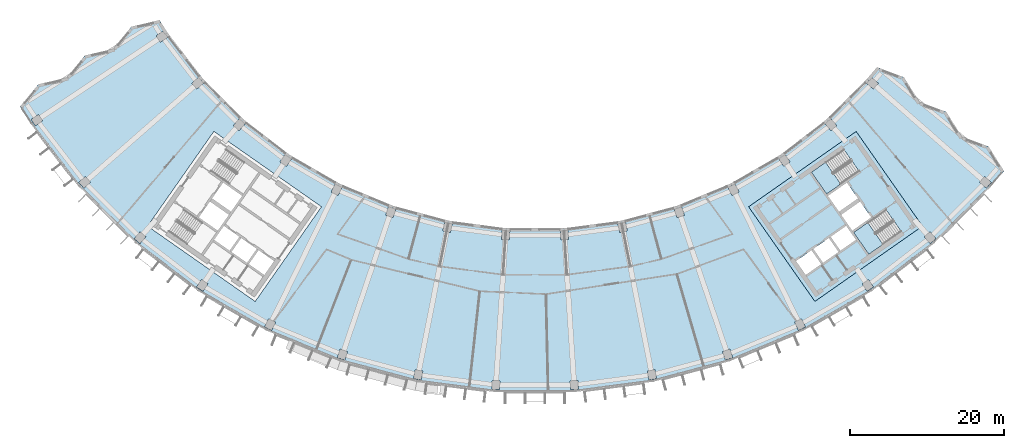
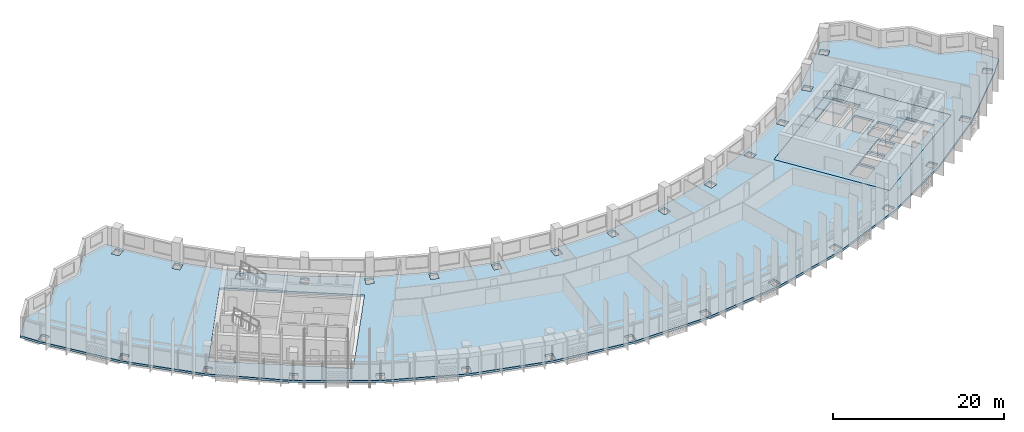
# One storey, part 2 of 28: 4 slabs, 2 elements without a shape of their own.
"""IFC4 building model written with IfcOpenShell, lengths in metres."""

from ifc_helpers import new_model, si_unit, direction, frame, origin, place, context, subcontext, project, spatial, polyline, outline, extrude, material, layer, layer_set, type_object, element, aggregate, save


model = new_model("IFC4")

# Units and contexts
model_context = context("Model", 3, precision=1e-05, world=origin(), true_north=direction((0.0, 1.0)))
body_context = subcontext(model_context, "Body", "Model", "MODEL_VIEW")
ifc_project = project(units=[si_unit("LENGTHUNIT", "METRE"), si_unit("AREAUNIT", "SQUARE_METRE"), si_unit("VOLUMEUNIT", "CUBIC_METRE"), si_unit("PLANEANGLEUNIT", "RADIAN"), si_unit("MASSUNIT", "GRAM", prefix="KILO")], contexts=[model_context])

# Site, building, storey
site_placement = place(None, origin())
site = spatial("IfcSite", under=ifc_project, at=site_placement, CompositionType="ELEMENT")
building_placement = place(site_placement, origin())
building = spatial("IfcBuilding", under=site, at=building_placement, Name="Qamariyya Broadcast Tower", CompositionType="ELEMENT")
storey_placement = place(building_placement, frame((0.0, 0.0, 226.5)))
storey = spatial("IfcBuildingStorey", under=building, at=storey_placement, Name="L54", CompositionType="ELEMENT", Elevation=226.5)

# Slabs
ifc_material_1 = material(Name="Concrete C40/50", Category="concrete")
ifc_layer_1 = layer(ifc_material_1, 0.300048828125)
ifc_layer_set_1 = layer_set([ifc_layer_1], Name="Core floor slab 300 mm Concrete C40/50")
slab_type_1 = type_object("IfcSlabType", Name="Core floor slab 300 mm Concrete C40/50", PredefinedType="FLOOR", material=ifc_layer_set_1)
slab_1_placement = place(storey_placement, frame((0.0, 0.0, -0.300048828125)))
element("IfcSlab", 1, at=slab_1_placement, inside=storey, type_object=slab_type_1, Name="k-E-L54-slab", PredefinedType="FLOOR", context=body_context, shape_type="SweptSolid", body=[
    extrude(outline(polyline([(36.32373046875, -66.734375), (50.286376953125, -56.95751953125), (41.6826171875, -44.67041015625), (27.719970703125, -54.447021484375), (36.32373046875, -66.734375)]), holes=[polyline([(33.87353515625, -61.49169921875), (35.88037109375, -60.08642578125), (37.142333984375, -61.888427734375), (35.13525390625, -63.293701171875), (33.87353515625, -61.49169921875)]), polyline([(36.126220703125, -59.914306640625), (38.133056640625, -58.509033203125), (39.394775390625, -60.311279296875), (37.387939453125, -61.716552734375), (36.126220703125, -59.914306640625)]), polyline([(38.378662109375, -58.3369140625), (40.3857421875, -56.931640625), (41.6474609375, -58.73388671875), (39.640625, -60.13916015625), (38.378662109375, -58.3369140625)]), polyline([(39.742431640625, -55.489990234375), (42.199951171875, -53.769287109375), (43.6337890625, -55.817138671875), (41.17626953125, -57.537841796875), (39.742431640625, -55.489990234375)]), polyline([(39.45556640625, -55.080322265625), (41.9130859375, -53.359619140625), (40.47900390625, -51.311767578125), (38.021728515625, -53.032470703125), (39.45556640625, -55.080322265625)]), polyline([(40.082275390625, -47.01171875), (35.870849609375, -49.960693359375), (37.849609375, -52.78662109375), (42.06103515625, -49.837890625), (40.082275390625, -47.01171875)]), polyline([(45.559814453125, -54.834716796875), (41.348388671875, -57.783447265625), (43.3271484375, -60.609619140625), (47.538818359375, -57.66064453125), (45.559814453125, -54.834716796875)])]), origin(), (0.0, 0.0, 1.0), 0.300048828125),
])
ifc_layer_2 = layer(ifc_material_1, 0.300048828125)
ifc_layer_set_2 = layer_set([ifc_layer_2], Name="Post-tensioned floor slab 300 C40/50")
slab_type_2 = type_object("IfcSlabType", Name="Post-tensioned floor slab 300 C40/50", PredefinedType="FLOOR", material=ifc_layer_set_2)
slab_2_placement = place(storey_placement, frame((0.0, 0.0, -0.300048828125)))
element("IfcSlab", 2, at=slab_2_placement, inside=storey, type_object=slab_type_2, Name="Floor slab S4 L54", PredefinedType="FLOOR", context=body_context, shape_type="SweptSolid", body=[
    extrude(outline(polyline([(-64.456787109375, -38.5400390625), (-66.85009765625, -41.435302734375), (-65.39501953125, -43.695556640625), (-59.132080078125, -51.857666015625), (-51.857666015625, -59.132080078125), (-43.695556640625, -65.39501953125), (-34.785888671875, -70.5390625), (-25.28125, -74.47607421875), (-15.34375, -77.138671875), (-5.14404296875, -78.481689453125), (5.14404296875, -78.481689453125), (15.34375, -77.138671875), (25.28125, -74.47607421875), (34.785888671875, -70.5390625), (43.695556640625, -65.39501953125), (51.857666015625, -59.132080078125), (59.132080078125, -51.857666015625), (60.869873046875, -49.806640625), (58.874755859375, -46.623779296875), (55.374755859375, -45.310302734375), (53.379150390625, -42.126953125), (49.8798828125, -40.814208984375), (47.88330078125, -37.6298828125), (44.385009765625, -36.31787109375), (43.117919921875, -37.8134765625), (37.8134765625, -43.117919921875), (31.862060546875, -47.684814453125), (25.365234375, -51.435546875), (18.4345703125, -54.306396484375), (11.1884765625, -56.248046875), (3.7509765625, -57.227294921875), (-3.7509765625, -57.227294921875), (-11.1884765625, -56.248046875), (-18.4345703125, -54.306396484375), (-25.365234375, -51.435546875), (-31.862060546875, -47.684814453125), (-37.8134765625, -43.117919921875), (-43.117919921875, -37.8134765625), (-47.684814453125, -31.862060546875), (-48.745849609375, -30.2138671875), (-52.38525390625, -31.057861328125), (-54.780517578125, -33.954345703125), (-58.421142578125, -34.799072265625), (-60.815185546875, -37.69482421875), (-64.456787109375, -38.5400390625)]), holes=[polyline([(-5.62158203125, -78.12451171875), (-5.54638671875, -76.97705078125), (-4.548583984375, -77.04248046875), (-4.623779296875, -78.18994140625), (-5.62158203125, -78.12451171875)]), polyline([(-15.770751953125, -76.722412109375), (-15.54638671875, -75.594482421875), (-14.565673828125, -75.78955078125), (-14.7900390625, -76.91748046875), (-15.770751953125, -76.722412109375)]), polyline([(-25.650146484375, -74.007568359375), (-25.280517578125, -72.918701171875), (-24.333740234375, -73.239990234375), (-24.703369140625, -74.3291015625), (-25.650146484375, -74.007568359375)]), polyline([(-35.090576171875, -70.0263671875), (-34.58203125, -68.9951171875), (-33.685302734375, -69.437255859375), (-34.19384765625, -70.46875), (-35.090576171875, -70.0263671875)]), polyline([(-43.9306640625, -64.84716796875), (-43.291748046875, -63.890869140625), (-42.46044921875, -64.446533203125), (-43.099365234375, -65.402587890625), (-43.9306640625, -64.84716796875)]), polyline([(-52.019287109375, -58.55810546875), (-51.260986328125, -57.693603515625), (-50.509033203125, -58.35302734375), (-51.267333984375, -59.217529296875), (-52.019287109375, -58.55810546875)]), polyline([(-11.966552734375, -57.59716796875), (-11.7421875, -56.46923828125), (-10.761474609375, -56.664306640625), (-10.98583984375, -57.792236328125), (-11.966552734375, -57.59716796875)]), polyline([(-50.286376953125, -56.95751953125), (-41.6826171875, -44.67041015625), (-27.719970703125, -54.447021484375), (-36.32373046875, -66.734375), (-50.286376953125, -56.95751953125)]), polyline([(-19.382080078125, -55.54248046875), (-19.012451171875, -54.453369140625), (-18.065673828125, -54.77490234375), (-18.435302734375, -55.86376953125), (-19.382080078125, -55.54248046875)]), polyline([(-26.466064453125, -52.537353515625), (-25.95751953125, -51.506103515625), (-25.060546875, -51.9482421875), (-25.569091796875, -52.979736328125), (-26.466064453125, -52.537353515625)]), polyline([(-59.217529296875, -51.267333984375), (-58.35302734375, -50.509033203125), (-57.693603515625, -51.260986328125), (-58.55810546875, -52.019287109375), (-59.217529296875, -51.267333984375)]), polyline([(-33.09716796875, -48.63330078125), (-32.458251953125, -47.67724609375), (-31.626708984375, -48.23291015625), (-32.265625, -49.18896484375), (-33.09716796875, -48.63330078125)]), polyline([(-39.161865234375, -43.897216796875), (-38.40380859375, -43.03271484375), (-37.65185546875, -43.692138671875), (-38.41015625, -44.556640625), (-39.161865234375, -43.897216796875)]), polyline([(-65.402587890625, -43.099365234375), (-64.446533203125, -42.46044921875), (-63.890869140625, -43.291748046875), (-64.84716796875, -43.9306640625), (-65.402587890625, -43.099365234375)]), polyline([(-44.556640625, -38.41015625), (-43.692138671875, -37.65185546875), (-43.03271484375, -38.40380859375), (-43.897216796875, -39.161865234375), (-44.556640625, -38.41015625)]), polyline([(-49.18896484375, -32.265625), (-48.23291015625, -31.626708984375), (-47.67724609375, -32.458251953125), (-48.63330078125, -33.09716796875), (-49.18896484375, -32.265625)]), polyline([(4.623779296875, -78.18994140625), (4.548583984375, -77.04248046875), (5.54638671875, -76.97705078125), (5.62158203125, -78.12451171875), (4.623779296875, -78.18994140625)]), polyline([(14.7900390625, -76.91748046875), (14.565673828125, -75.78955078125), (15.54638671875, -75.594482421875), (15.770751953125, -76.722412109375), (14.7900390625, -76.91748046875)]), polyline([(24.703369140625, -74.3291015625), (24.333740234375, -73.239990234375), (25.280517578125, -72.918701171875), (25.650146484375, -74.007568359375), (24.703369140625, -74.3291015625)]), polyline([(34.19384765625, -70.46875), (33.685302734375, -69.437255859375), (34.58203125, -68.9951171875), (35.090576171875, -70.0263671875), (34.19384765625, -70.46875)]), polyline([(43.099365234375, -65.402587890625), (42.46044921875, -64.446533203125), (43.291748046875, -63.890869140625), (43.9306640625, -64.84716796875), (43.099365234375, -65.402587890625)]), polyline([(51.267333984375, -59.217529296875), (50.509033203125, -58.35302734375), (51.260986328125, -57.693603515625), (52.019287109375, -58.55810546875), (51.267333984375, -59.217529296875)]), polyline([(-4.34619140625, -58.666259765625), (-4.27099609375, -57.518798828125), (-3.273193359375, -57.584228515625), (-3.348388671875, -58.731689453125), (-4.34619140625, -58.666259765625)]), polyline([(3.348388671875, -58.731689453125), (3.273193359375, -57.584228515625), (4.27099609375, -57.518798828125), (4.34619140625, -58.666259765625), (3.348388671875, -58.731689453125)]), polyline([(10.98583984375, -57.792236328125), (10.761474609375, -56.664306640625), (11.7421875, -56.46923828125), (11.966552734375, -57.59716796875), (10.98583984375, -57.792236328125)]), polyline([(36.32373046875, -66.734375), (27.719970703125, -54.447021484375), (41.6826171875, -44.67041015625), (50.286376953125, -56.95751953125), (36.32373046875, -66.734375)]), polyline([(18.435302734375, -55.86376953125), (18.065673828125, -54.77490234375), (19.012451171875, -54.453369140625), (19.382080078125, -55.54248046875), (18.435302734375, -55.86376953125)]), polyline([(25.569091796875, -52.979736328125), (25.060546875, -51.9482421875), (25.95751953125, -51.506103515625), (26.466064453125, -52.537353515625), (25.569091796875, -52.979736328125)]), polyline([(58.55810546875, -52.019287109375), (57.693603515625, -51.260986328125), (58.35302734375, -50.509033203125), (59.217529296875, -51.267333984375), (58.55810546875, -52.019287109375)]), polyline([(32.265625, -49.18896484375), (31.626708984375, -48.23291015625), (32.458251953125, -47.67724609375), (33.09716796875, -48.63330078125), (32.265625, -49.18896484375)]), polyline([(38.41015625, -44.556640625), (37.65185546875, -43.692138671875), (38.40380859375, -43.03271484375), (39.161865234375, -43.897216796875), (38.41015625, -44.556640625)]), polyline([(43.897216796875, -39.161865234375), (43.03271484375, -38.40380859375), (43.692138671875, -37.65185546875), (44.556640625, -38.41015625), (43.897216796875, -39.161865234375)])]), origin(), (0.0, 0.0, 1.0), 0.300048828125),
])

# Stair, slab
ifc_material_2 = material(Name="Concrete C50/60", Category="concrete")
stair_type = type_object("IfcStairType", Name="Exit stair 22 risers of 173 mm", PredefinedType="HALF_TURN_STAIR", material=ifc_material_2)
stair_1_placement = place(storey_placement, origin())
stair_1 = element("IfcStair", 3, at=stair_1_placement, inside=storey, type_object=stair_type, Name="L54 Stair E2", PredefinedType="HALF_TURN_STAIR")
ifc_layer_3 = layer(ifc_material_2, 0.199951171875)
ifc_layer_set_3 = layer_set([ifc_layer_3], Name="Stair landing")
slab_type_3 = type_object("IfcSlabType", Name="Stair landing", PredefinedType="LANDING", material=ifc_layer_set_3)
slab_3_placement = place(storey_placement, frame((0.0, 0.0, 1.699951171875)))
slab_3 = element("IfcSlab", 4, at=slab_3_placement, type_object=slab_type_3, Name="ST-E2 landing 1", PredefinedType="LANDING", context=body_context, shape_type="SweptSolid", body=[
    extrude(outline(polyline([(37.71337890625, -48.67041015625), (35.870849609375, -49.960693359375), (37.849609375, -52.78662109375), (39.692138671875, -51.49658203125), (37.71337890625, -48.67041015625)])), origin(), (0.0, 0.0, 1.0), 0.199951171875),
])
aggregate(stair_1, [slab_3])

stair_2_placement = place(storey_placement, origin())
stair_2 = element("IfcStair", 5, at=stair_2_placement, inside=storey, type_object=stair_type, Name="L54 Stair E1", PredefinedType="HALF_TURN_STAIR")
slab_4_placement = place(storey_placement, frame((0.0, 0.0, 1.699951171875)))
slab_4 = element("IfcSlab", 6, at=slab_4_placement, type_object=slab_type_3, Name="ST-E1 landing 1", PredefinedType="LANDING", context=body_context, shape_type="SweptSolid", body=[
    extrude(outline(polyline([(43.19091796875, -56.493408203125), (41.348388671875, -57.783447265625), (43.3271484375, -60.609619140625), (45.169677734375, -59.319580078125), (43.19091796875, -56.493408203125)])), origin(), (0.0, 0.0, 1.0), 0.199951171875),
])
aggregate(stair_2, [slab_4])

save(model, "model.ifc")
